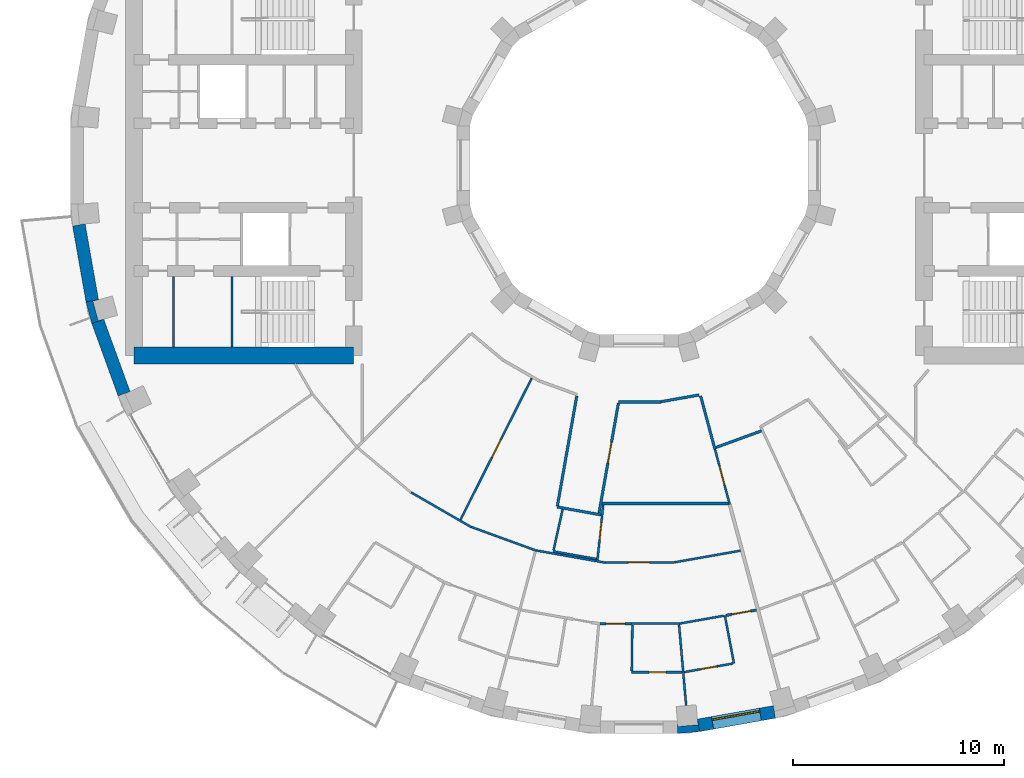
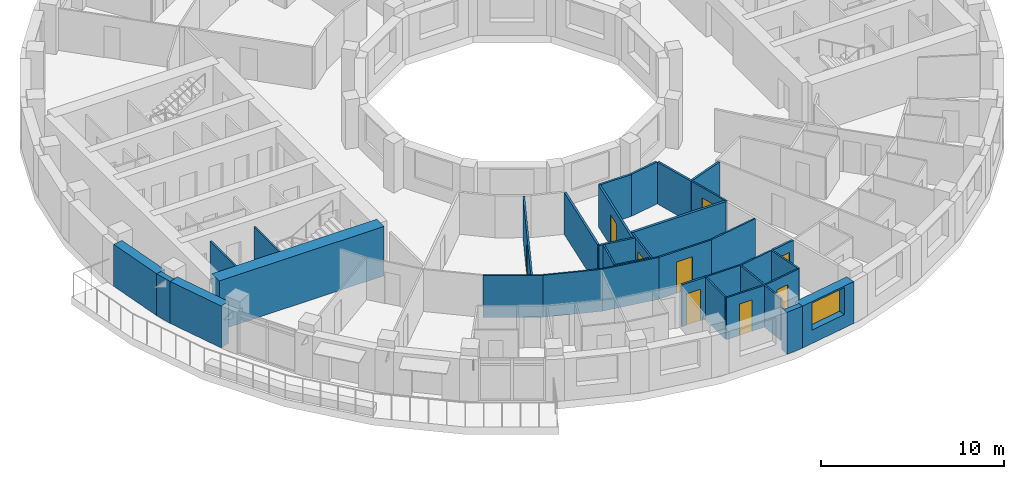
# One storey, part 5 of 16: 35 walls, 9 doors, 1 window, 10 openings.
"""IFC4 building model written with IfcOpenShell, lengths in metres."""

from ifc_helpers import new_model, si_unit, direction, frame, frame_2d, origin, place, context, subcontext, project, spatial, polyline, rectangle, outline, extrude, material, layer, layer_set, type_object, element, fill, save


model = new_model("IFC4")

# Units and contexts
model_context = context("Model", 3, precision=1e-05, world=origin(), true_north=direction((0.0, 1.0)))
body_context = subcontext(model_context, "Body", "Model", "MODEL_VIEW")
ifc_project = project(units=[si_unit("LENGTHUNIT", "METRE"), si_unit("AREAUNIT", "SQUARE_METRE"), si_unit("VOLUMEUNIT", "CUBIC_METRE"), si_unit("PLANEANGLEUNIT", "RADIAN"), si_unit("MASSUNIT", "GRAM", prefix="KILO")], contexts=[model_context])

# Site, building, storey
site_placement = place(None, origin())
site = spatial("IfcSite", under=ifc_project, at=site_placement, CompositionType="ELEMENT")
building_placement = place(site_placement, origin())
building = spatial("IfcBuilding", under=site, at=building_placement, Name="Saqina Gate Tower", CompositionType="ELEMENT")
storey_placement = place(building_placement, frame((0.0, 0.0, 121.60009765625)))
storey = spatial("IfcBuildingStorey", under=building, at=storey_placement, Name="L34", CompositionType="ELEMENT", Elevation=121.60009765625)

# Walls
ifc_material_1 = material(Name="Brick masonry (buff)", Category="masonry")
wall_type_1 = type_object("IfcWallType", Name="BRICK PIER COPING BUFF", PredefinedType="SOLIDWALL", material=ifc_material_1)
wall_1_placement = place(storey_placement, origin())
element("IfcWall", 1, at=wall_1_placement, inside=storey, type_object=wall_type_1, Name="Pier cap L34 column 20", PredefinedType="SOLIDWALL", context=body_context, shape_type="SweptSolid", body=[
    extrude(outline(polyline([(-26.171875, -6.466796875), (-25.89892578125, -7.485595703125), (-25.335205078125, -7.2802734375), (-25.5947265625, -7.349853515625), (-25.8408203125, -6.43212890625), (-25.5810546875, -6.36279296875), (-26.171875, -6.466796875)])), origin(), (0.0, 0.0, 1.0), 2.7998046875),
])
wall_2_placement = place(storey_placement, origin())
element("IfcWall", 2, at=wall_2_placement, inside=storey, type_object=wall_type_1, Name="Pier cap L34 column 28", PredefinedType="SOLIDWALL", context=body_context, shape_type="SweptSolid", body=[
    extrude(outline(polyline([(2.87451171875, -26.805419921875), (2.770263671875, -26.214599609375), (2.793701171875, -26.482421875), (1.847412109375, -26.565185546875), (1.823974609375, -26.29736328125), (1.823974609375, -26.897216796875), (2.87451171875, -26.805419921875)])), origin(), (0.0, 0.0, 1.0), 2.7998046875),
])
ifc_material_2 = material(Name="Gypsum board on steel studs", Category="steel")
ifc_layer_1 = layer(ifc_material_2, 0.10009765625)
ifc_layer_set_1 = layer_set([ifc_layer_1], Name="CORE PARTITION")
wall_type_2 = type_object("IfcWallType", Name="CORE PARTITION", PredefinedType="PARTITIONING", material=ifc_layer_set_1)
wall_3_placement = place(storey_placement, frame((-22.037109375, -8.60009765625, 0.0), z_axis=(0.0, 0.0, 1.0), x_axis=(0.0, 1.0, 0.0)))
element("IfcWall", 3, at=wall_3_placement, inside=storey, type_object=wall_type_2, Name="L34-CP-W16", PredefinedType="PARTITIONING", context=body_context, shape_type="SweptSolid", body=[
    extrude(rectangle(XDim=3.35009765625, YDim=0.10009765625, at=frame_2d((1.675048828125, 0.0))), origin(), (0.0, 0.0, 1.0), 2.7998046875),
])

# Wall, opening, window
ifc_material_3 = material(Name="Brick masonry (buff)", Category="masonry")
ifc_layer_2 = layer(ifc_material_3, 0.60009765625)
ifc_layer_set_2 = layer_set([ifc_layer_2], Name="FW-BRICK-BUFF")
wall_type_3 = type_object("IfcWallType", Name="FW-BRICK-BUFF", PredefinedType="SOLIDWALL", material=ifc_layer_set_2)
wall_4_placement = place(storey_placement, frame((2.822265625, -26.510009765625, 0.0), z_axis=(0.0, 0.0, 1.0), x_axis=(0.984803764455, 0.173670796382, 0.0)))
wall_4 = element("IfcWall", 4, at=wall_4_placement, inside=storey, type_object=wall_type_3, Name="Facade wall L34 facet 28", PredefinedType="SOLIDWALL", context=body_context, shape_type="SweptSolid", body=[
    extrude(rectangle(XDim=3.64794921875, YDim=0.60009765625, at=frame_2d((1.823974609375, 0.0))), origin(), (0.0, 0.0, 1.0), 2.7998046875),
])
opening_1_placement = place(wall_4_placement, frame((0.673828125, 0.0, 0.89990234375)))
opening_1 = element("IfcOpeningElement", 5, at=opening_1_placement, cuts=wall_4, Name="Opening G10-W17", PredefinedType="OPENING", context=body_context, shape_type="SweptSolid", body=[
    extrude(rectangle(XDim=2.300048828125, YDim=1.800048828125, at=frame_2d((1.14990234375, 0.89990234375))), frame((0.0, 0.31201171875, 0.0), z_axis=(0.0, -1.0, 0.0), x_axis=(1.0, 0.0, 0.0)), (0.0, 0.0, 1.0), 0.6240234375),
])
ifc_material_4 = material(Name="Aluminium glazing", Category="aluminium")
window_type = type_object("IfcWindowType", Name="WN-B", PartitioningType="SINGLE_PANEL", PredefinedType="WINDOW", material=ifc_material_4)
window_placement = place(opening_1_placement, origin())
window = element("IfcWindow", 6, at=window_placement, inside=storey, type_object=window_type, Name="Window L34 facet 28", OverallHeight=1.800048828125, OverallWidth=2.300048828125, PartitioningType="SINGLE_PANEL", PredefinedType="WINDOW", context=body_context, shape_type="SweptSolid", body=[
    extrude(rectangle(XDim=2.300048828125, YDim=1.800048828125, at=frame_2d((1.14990234375, 0.89990234375))), frame((0.0, 0.179931640625, 0.0), z_axis=(0.0, -1.0, 0.0), x_axis=(1.0, 0.0, 0.0)), (0.0, 0.0, 1.0), 0.06005859375),
])
fill(opening_1, window)

# Walls
ifc_material_5 = material(Name="Glazed ceramic tile", Category="ceramic")
ifc_layer_3 = layer(ifc_material_5, 0.60009765625)
ifc_layer_set_3 = layer_set([ifc_layer_3], Name="FW-TILE")
wall_type_4 = type_object("IfcWallType", Name="FW-TILE", PredefinedType="SOLIDWALL", material=ifc_layer_set_3)
wall_5_placement = place(storey_placement, frame((-26.510009765625, -2.822265625, 0.0), z_axis=(0.0, 0.0, 1.0), x_axis=(0.173670796382, -0.984803764455, 0.0)))
element("IfcWall", 7, at=wall_5_placement, inside=storey, type_object=wall_type_4, Name="Facade wall L34 facet 19", PredefinedType="SOLIDWALL", context=body_context, shape_type="SweptSolid", body=[
    extrude(rectangle(XDim=3.64794921875, YDim=0.60009765625, at=frame_2d((1.823974609375, 0.0))), origin(), (0.0, 0.0, 1.0), 2.7998046875),
])
ifc_material_6 = material(Name="Glazed ceramic tile (dark blue)", Category="ceramic")
ifc_layer_4 = layer(ifc_material_6, 0.60009765625)
ifc_layer_set_4 = layer_set([ifc_layer_4], Name="FW-TILE-CB")
wall_type_5 = type_object("IfcWallType", Name="FW-TILE-CB", PredefinedType="SOLIDWALL", material=ifc_layer_set_4)
wall_6_placement = place(storey_placement, frame((-25.616943359375, -7.3828125, 0.0), z_axis=(0.0, 0.0, 1.0), x_axis=(0.341990236633, -0.939703505393, 0.0)))
element("IfcWall", 8, at=wall_6_placement, inside=storey, type_object=wall_type_5, Name="Facade wall L34 facet 20", PredefinedType="SOLIDWALL", context=body_context, shape_type="SweptSolid", body=[
    extrude(rectangle(XDim=3.64794921875, YDim=0.60009765625, at=frame_2d((1.823974609375, 0.0))), origin(), (0.0, 0.0, 1.0), 2.7998046875),
])
ifc_material_7 = material(Name="Gypsum board on steel studs, 100 mm", Category="steel")
ifc_layer_5 = layer(ifc_material_7, 0.10009765625)
ifc_layer_set_5 = layer_set([ifc_layer_5], Name="PARTITION 100")
wall_type_6 = type_object("IfcWallType", Name="PARTITION 100", PredefinedType="PARTITIONING", material=ifc_layer_set_5)
wall_7_placement = place(storey_placement, frame((1.9013671875, -21.746826171875, 0.0), z_axis=(0.0, 0.0, 1.0), x_axis=(0.087464650473, -0.996167623906, 0.0)))
element("IfcWall", 9, at=wall_7_placement, inside=storey, type_object=wall_type_6, Name="PARTITION PW3-02", PredefinedType="PARTITIONING", context=body_context, shape_type="SweptSolid", body=[
    extrude(rectangle(XDim=3.835205078125, YDim=0.10009765625, at=frame_2d((1.91748046875, 0.0))), origin(), (0.0, 0.0, 1.0), 2.7998046875),
])
wall_8_placement = place(storey_placement, frame((4.070068359375, -21.31396484375, 0.0), z_axis=(0.0, 0.0, 1.0), x_axis=(0.187292523019, -0.982304184467, 0.0)))
element("IfcWall", 10, at=wall_8_placement, inside=storey, type_object=wall_type_6, Name="PARTITION PW3-05", PredefinedType="PARTITIONING", context=body_context, shape_type="SweptSolid", body=[
    extrude(rectangle(XDim=2.30078125, YDim=0.10009765625, at=frame_2d((1.150390625, 0.0))), origin(), (0.0, 0.0, 1.0), 2.7998046875),
])

# Wall, opening, door
wall_9_placement = place(storey_placement, frame((3.601318359375, -13.4404296875, 0.0), z_axis=(0.0, 0.0, 1.0), x_axis=(0.258787272881, -0.96593433907, 0.0)))
wall_9 = element("IfcWall", 11, at=wall_9_placement, inside=storey, type_object=wall_type_6, Name="PARTITION PW3-08", PredefinedType="PARTITIONING", context=body_context, shape_type="SweptSolid", body=[
    extrude(rectangle(XDim=2.701904296875, YDim=0.10009765625, at=frame_2d((1.35107421875, 0.0))), origin(), (0.0, 0.0, 1.0), 2.7998046875),
])
opening_2_placement = place(wall_9_placement, frame((0.84375, 0.0, 0.0)))
opening_2 = element("IfcOpeningElement", 12, at=opening_2_placement, cuts=wall_9, Name="Opening G10-D47", PredefinedType="OPENING", context=body_context, shape_type="SweptSolid", body=[
    extrude(rectangle(XDim=0.89990234375, YDim=2.10009765625, at=frame_2d((0.449951171875, 1.050048828125))), frame((0.0, 0.06201171875, 0.0), z_axis=(0.0, -1.0, 0.0), x_axis=(1.0, 0.0, 0.0)), (0.0, 0.0, 1.0), 0.1240234375),
])
ifc_material_8 = material(Name="Timber door leaf, 900 mm", Category="wood")
door_type_1 = type_object("IfcDoorType", Name="DOOR 900 TIMBER", OperationType="SINGLE_SWING_LEFT", PredefinedType="DOOR", material=ifc_material_8)
door_1_placement = place(opening_2_placement, origin())
door_1 = element("IfcDoor", 13, at=door_1_placement, inside=storey, type_object=door_type_1, Name="DOOR G10-D47", OperationType="SINGLE_SWING_LEFT", OverallHeight=2.10009765625, OverallWidth=0.89990234375, PredefinedType="DOOR", context=body_context, shape_type="SweptSolid", body=[
    extrude(rectangle(XDim=0.89990234375, YDim=2.10009765625, at=frame_2d((0.449951171875, 1.050048828125))), frame((0.0, 0.02490234375, 0.0), z_axis=(0.0, -1.0, 0.0), x_axis=(1.0, 0.0, 0.0)), (0.0, 0.0, 1.0), 0.050048828125),
])
fill(opening_2, door_1)

# Walls
wall_10_placement = place(storey_placement, frame((-10.78076171875, -15.48291015625, 0.0), z_axis=(0.0, 0.0, 1.0), x_axis=(0.865987888257, -0.500064973171, 0.0)))
element("IfcWall", 14, at=wall_10_placement, inside=storey, type_object=wall_type_6, Name="PARTITION PW3-34", PredefinedType="PARTITIONING", context=body_context, shape_type="SweptSolid", body=[
    extrude(rectangle(XDim=3.29052734375, YDim=0.10009765625, at=frame_2d((1.645263671875, 0.0))), origin(), (0.0, 0.0, 1.0), 2.7998046875),
])
wall_11_placement = place(storey_placement, frame((-7.927978515625, -17.1201171875, 0.0), z_axis=(0.0, 0.0, 1.0), x_axis=(0.93970022925, -0.34199923852, 0.0)))
element("IfcWall", 15, at=wall_11_placement, inside=storey, type_object=wall_type_6, Name="PARTITION PW3-42", PredefinedType="PARTITIONING", context=body_context, shape_type="SweptSolid", body=[
    extrude(rectangle(XDim=3.290283203125, YDim=0.10009765625, at=frame_2d((1.64501953125, 0.0))), origin(), (0.0, 0.0, 1.0), 2.7998046875),
])
wall_12_placement = place(storey_placement, frame((-4.834716796875, -18.236572265625, 0.0), z_axis=(0.0, 0.0, 1.0), x_axis=(0.984805963937, -0.173658323709, 0.0)))
element("IfcWall", 16, at=wall_12_placement, inside=storey, type_object=wall_type_6, Name="PARTITION PW3-47", PredefinedType="PARTITIONING", context=body_context, shape_type="SweptSolid", body=[
    extrude(rectangle(XDim=3.289794921875, YDim=0.10009765625, at=frame_2d((1.64501953125, 0.0))), origin(), (0.0, 0.0, 1.0), 2.7998046875),
])
wall_13_placement = place(storey_placement, frame((-4.051025390625, -18.27392578125, 0.0), z_axis=(0.0, 0.0, 1.0), x_axis=(0.984814351303, -0.17361075274, 0.0)))
element("IfcWall", 17, at=wall_13_placement, inside=storey, type_object=wall_type_6, Name="PARTITION PW3-48", PredefinedType="PARTITIONING", context=body_context, shape_type="SweptSolid", body=[
    extrude(rectangle(XDim=2.07421875, YDim=0.10009765625, at=frame_2d((1.037109375, 0.0))), origin(), (0.0, 0.0, 1.0), 2.7998046875),
])

# Wall, opening, door
wall_14_placement = place(storey_placement, frame((-0.339111328125, -23.9970703125, 0.0), z_axis=(0.0, 0.0, 1.0), x_axis=(1.0, 0.0, 0.0)))
wall_14 = element("IfcWall", 18, at=wall_14_placement, inside=storey, type_object=wall_type_6, Name="PARTITION PW3-51", PredefinedType="PARTITIONING", context=body_context, shape_type="SweptSolid", body=[
    extrude(rectangle(XDim=2.38818359375, YDim=0.10009765625, at=frame_2d((1.194091796875, 0.0))), origin(), (0.0, 0.0, 1.0), 2.7998046875),
])
opening_3_placement = place(wall_14_placement, frame((0.819091796875, 0.0, 0.0)))
opening_3 = element("IfcOpeningElement", 19, at=opening_3_placement, cuts=wall_14, Name="Opening G10-D44", PredefinedType="OPENING", context=body_context, shape_type="SweptSolid", body=[
    extrude(rectangle(XDim=0.800048828125, YDim=2.10009765625, at=frame_2d((0.39990234375, 1.050048828125))), frame((0.0, 0.06201171875, 0.0), z_axis=(0.0, -1.0, 0.0), x_axis=(1.0, 0.0, 0.0)), (0.0, 0.0, 1.0), 0.1240234375),
])
ifc_material_9 = material(Name="Timber door leaf, 800 mm", Category="wood")
door_type_2 = type_object("IfcDoorType", Name="DOOR 800 TIMBER", OperationType="SINGLE_SWING_LEFT", PredefinedType="DOOR", material=ifc_material_9)
door_2_placement = place(opening_3_placement, frame((0.800048828125, 0.0, 0.0), z_axis=(0.0, 0.0, 1.0), x_axis=(-1.0, 0.0, 0.0)))
door_2 = element("IfcDoor", 20, at=door_2_placement, inside=storey, type_object=door_type_2, Name="DOOR G10-D44", OperationType="SINGLE_SWING_LEFT", OverallHeight=2.10009765625, OverallWidth=0.800048828125, PredefinedType="DOOR", context=body_context, shape_type="SweptSolid", body=[
    extrude(rectangle(XDim=0.800048828125, YDim=2.10009765625, at=frame_2d((0.39990234375, 1.050048828125))), frame((0.0, 0.02490234375, 0.0), z_axis=(0.0, -1.0, 0.0), x_axis=(1.0, 0.0, 0.0)), (0.0, 0.0, 1.0), 0.050048828125),
])
fill(opening_3, door_2)

# Wall
wall_15_placement = place(storey_placement, frame((-0.35693359375, -21.697021484375, 0.0), z_axis=(0.0, 0.0, 1.0), x_axis=(1.0, 0.0, 0.0)))
element("IfcWall", 21, at=wall_15_placement, inside=storey, type_object=wall_type_6, Name="PARTITION PW3-52", PredefinedType="PARTITIONING", context=body_context, shape_type="SweptSolid", body=[
    extrude(rectangle(XDim=2.3056640625, YDim=0.10009765625, at=frame_2d((1.15283203125, 0.0))), origin(), (0.0, 0.0, 1.0), 2.7998046875),
])

# Wall, opening, door
wall_16_placement = place(storey_placement, frame((-1.594970703125, -18.799072265625, 0.0), z_axis=(0.0, 0.0, 1.0), x_axis=(1.0, 0.0, 0.0)))
wall_16 = element("IfcWall", 22, at=wall_16_placement, inside=storey, type_object=wall_type_6, Name="PARTITION PW3-53", PredefinedType="PARTITIONING", context=body_context, shape_type="SweptSolid", body=[
    extrude(rectangle(XDim=3.290771484375, YDim=0.10009765625, at=frame_2d((1.6455078125, 0.0))), origin(), (0.0, 0.0, 1.0), 2.7998046875),
])
opening_4_placement = place(wall_16_placement, frame((1.094970703125, 0.0, 0.0)))
opening_4 = element("IfcOpeningElement", 23, at=opening_4_placement, cuts=wall_16, Name="Opening G10-D43", PredefinedType="OPENING", context=body_context, shape_type="SweptSolid", body=[
    extrude(rectangle(XDim=1.0, YDim=2.10009765625, at=frame_2d((0.5, 1.050048828125))), frame((0.0, 0.06201171875, 0.0), z_axis=(0.0, -1.0, 0.0), x_axis=(1.0, 0.0, 0.0)), (0.0, 0.0, 1.0), 0.1240234375),
])
ifc_material_10 = material(Name="Timber door leaf, 1000 mm", Category="wood")
door_type_3 = type_object("IfcDoorType", Name="DOOR 1000 TIMBER", OperationType="SINGLE_SWING_LEFT", PredefinedType="DOOR", material=ifc_material_10)
door_3_placement = place(opening_4_placement, origin())
door_3 = element("IfcDoor", 24, at=door_3_placement, inside=storey, type_object=door_type_3, Name="DOOR G10-D43", OperationType="SINGLE_SWING_LEFT", OverallHeight=2.10009765625, OverallWidth=1.0, PredefinedType="DOOR", context=body_context, shape_type="SweptSolid", body=[
    extrude(rectangle(XDim=1.0, YDim=2.10009765625, at=frame_2d((0.5, 1.050048828125))), frame((0.0, 0.02490234375, 0.0), z_axis=(0.0, -1.0, 0.0), x_axis=(1.0, 0.0, 0.0)), (0.0, 0.0, 1.0), 0.050048828125),
])
fill(opening_4, door_3)

wall_17_placement = place(storey_placement, frame((2.148193359375, -23.98828125, 0.0), z_axis=(0.0, 0.0, 1.0), x_axis=(0.984854932485, 0.173380396699, 0.0)))
wall_17 = element("IfcWall", 25, at=wall_17_placement, inside=storey, type_object=wall_type_6, Name="PARTITION PW3-57", PredefinedType="PARTITIONING", context=body_context, shape_type="SweptSolid", body=[
    extrude(rectangle(XDim=2.3388671875, YDim=0.10009765625, at=frame_2d((1.16943359375, 0.0))), origin(), (0.0, 0.0, 1.0), 2.7998046875),
])
opening_5_placement = place(wall_17_placement, frame((0.76953125, 0.0, 0.0)))
opening_5 = element("IfcOpeningElement", 26, at=opening_5_placement, cuts=wall_17, Name="Opening G10-D45", PredefinedType="OPENING", context=body_context, shape_type="SweptSolid", body=[
    extrude(rectangle(XDim=0.800048828125, YDim=2.10009765625, at=frame_2d((0.39990234375, 1.050048828125))), frame((0.0, 0.06201171875, 0.0), z_axis=(0.0, -1.0, 0.0), x_axis=(1.0, 0.0, 0.0)), (0.0, 0.0, 1.0), 0.1240234375),
])
door_4_placement = place(opening_5_placement, frame((0.800048828125, 0.0, 0.0), z_axis=(0.0, 0.0, 1.0), x_axis=(-1.0, 0.0, 0.0)))
door_4 = element("IfcDoor", 27, at=door_4_placement, inside=storey, type_object=door_type_2, Name="DOOR G10-D45", OperationType="SINGLE_SWING_LEFT", OverallHeight=2.10009765625, OverallWidth=0.800048828125, PredefinedType="DOOR", context=body_context, shape_type="SweptSolid", body=[
    extrude(rectangle(XDim=0.800048828125, YDim=2.10009765625, at=frame_2d((0.39990234375, 1.050048828125))), frame((0.0, 0.02490234375, 0.0), z_axis=(0.0, -1.0, 0.0), x_axis=(1.0, 0.0, 0.0)), (0.0, 0.0, 1.0), 0.050048828125),
])
fill(opening_5, door_4)

# Walls
wall_18_placement = place(storey_placement, frame((1.947265625, -21.688232421875, 0.0), z_axis=(0.0, 0.0, 1.0), x_axis=(0.984818559242, 0.173586881336, 0.0)))
element("IfcWall", 28, at=wall_18_placement, inside=storey, type_object=wall_type_6, Name="PARTITION PW3-58", PredefinedType="PARTITIONING", context=body_context, shape_type="SweptSolid", body=[
    extrude(rectangle(XDim=2.10546875, YDim=0.10009765625, at=frame_2d((1.052734375, 0.0))), origin(), (0.0, 0.0, 1.0), 2.7998046875),
])
wall_19_placement = place(storey_placement, frame((1.6943359375, -18.790283203125, 0.0), z_axis=(0.0, 0.0, 1.0), x_axis=(0.984811512808, 0.173626853457, 0.0)))
element("IfcWall", 29, at=wall_19_placement, inside=storey, type_object=wall_type_6, Name="PARTITION PW3-59", PredefinedType="PARTITIONING", context=body_context, shape_type="SweptSolid", body=[
    extrude(rectangle(XDim=3.163818359375, YDim=0.10009765625, at=frame_2d((1.58203125, 0.0))), origin(), (0.0, 0.0, 1.0), 2.7998046875),
])

# Wall, opening, door
wall_20_placement = place(storey_placement, frame((-8.444580078125, -16.774169921875, 0.0), z_axis=(0.0, 0.0, 1.0), x_axis=(0.449712057194, 0.893173592094, 0.0)))
wall_20 = element("IfcWall", 30, at=wall_20_placement, inside=storey, type_object=wall_type_6, Name="PARTITION PW3-96", PredefinedType="PARTITIONING", context=body_context, shape_type="SweptSolid", body=[
    extrude(rectangle(XDim=7.499267578125, YDim=0.10009765625, at=frame_2d((3.74951171875, 0.0))), origin(), (0.0, 0.0, 1.0), 2.7998046875),
])
opening_6_placement = place(wall_20_placement, frame((3.30712890625, 0.0, 0.0)))
opening_6 = element("IfcOpeningElement", 31, at=opening_6_placement, cuts=wall_20, Name="Opening G10-D35", PredefinedType="OPENING", context=body_context, shape_type="SweptSolid", body=[
    extrude(rectangle(XDim=0.89990234375, YDim=2.10009765625, at=frame_2d((0.449951171875, 1.050048828125))), frame((0.0, 0.06201171875, 0.0), z_axis=(0.0, -1.0, 0.0), x_axis=(1.0, 0.0, 0.0)), (0.0, 0.0, 1.0), 0.1240234375),
])
door_5_placement = place(opening_6_placement, frame((0.89990234375, 0.0, 0.0), z_axis=(0.0, 0.0, 1.0), x_axis=(-1.0, 0.0, 0.0)))
door_5 = element("IfcDoor", 32, at=door_5_placement, inside=storey, type_object=door_type_1, Name="DOOR G10-D35", OperationType="SINGLE_SWING_LEFT", OverallHeight=2.10009765625, OverallWidth=0.89990234375, PredefinedType="DOOR", context=body_context, shape_type="SweptSolid", body=[
    extrude(rectangle(XDim=0.89990234375, YDim=2.10009765625, at=frame_2d((0.449951171875, 1.050048828125))), frame((0.0, 0.02490234375, 0.0), z_axis=(0.0, -1.0, 0.0), x_axis=(1.0, 0.0, 0.0)), (0.0, 0.0, 1.0), 0.050048828125),
])
fill(opening_6, door_5)

# Wall
wall_21_placement = place(storey_placement, frame((-4.0400390625, -18.22412109375, 0.0), z_axis=(0.0, 0.0, 1.0), x_axis=(0.216475396049, 0.976288073729, 0.0)))
element("IfcWall", 33, at=wall_21_placement, inside=storey, type_object=wall_type_6, Name="PARTITION PW3-103", PredefinedType="PARTITIONING", context=body_context, shape_type="SweptSolid", body=[
    extrude(rectangle(XDim=1.98828125, YDim=0.10009765625, at=frame_2d((0.994140625, 0.0))), origin(), (0.0, 0.0, 1.0), 2.7998046875),
])

# Wall, opening, door
wall_22_placement = place(storey_placement, frame((-1.963134765625, -18.692138671875, 0.0), z_axis=(0.0, 0.0, 1.0), x_axis=(0.10462196357, 0.994512063647, 0.0)))
wall_22 = element("IfcWall", 34, at=wall_22_placement, inside=storey, type_object=wall_type_6, Name="PARTITION PW3-106", PredefinedType="PARTITIONING", context=body_context, shape_type="SweptSolid", body=[
    extrude(rectangle(XDim=2.6298828125, YDim=0.10009765625, at=frame_2d((1.31494140625, 0.0))), origin(), (0.0, 0.0, 1.0), 2.7998046875),
])
opening_7_placement = place(wall_22_placement, frame((0.978759765625, 0.0, 0.0)))
opening_7 = element("IfcOpeningElement", 35, at=opening_7_placement, cuts=wall_22, Name="Opening G10-D40", PredefinedType="OPENING", context=body_context, shape_type="SweptSolid", body=[
    extrude(rectangle(XDim=0.800048828125, YDim=2.10009765625, at=frame_2d((0.39990234375, 1.050048828125))), frame((0.0, 0.06201171875, 0.0), z_axis=(0.0, -1.0, 0.0), x_axis=(1.0, 0.0, 0.0)), (0.0, 0.0, 1.0), 0.1240234375),
])
door_6_placement = place(opening_7_placement, frame((0.800048828125, 0.0, 0.0), z_axis=(0.0, 0.0, 1.0), x_axis=(-1.0, 0.0, 0.0)))
door_6 = element("IfcDoor", 36, at=door_6_placement, inside=storey, type_object=door_type_2, Name="DOOR G10-D40", OperationType="SINGLE_SWING_LEFT", OverallHeight=2.10009765625, OverallWidth=0.800048828125, PredefinedType="DOOR", context=body_context, shape_type="SweptSolid", body=[
    extrude(rectangle(XDim=0.800048828125, YDim=2.10009765625, at=frame_2d((0.39990234375, 1.050048828125))), frame((0.0, 0.02490234375, 0.0), z_axis=(0.0, -1.0, 0.0), x_axis=(1.0, 0.0, 0.0)), (0.0, 0.0, 1.0), 0.050048828125),
])
fill(opening_7, door_6)

# Walls
wall_23_placement = place(storey_placement, frame((-0.33837890625, -23.947021484375, 0.0), z_axis=(0.0, 0.0, 1.0), x_axis=(0.013949535442, 0.999902700497, 0.0)))
element("IfcWall", 37, at=wall_23_placement, inside=storey, type_object=wall_type_6, Name="PARTITION PW3-108", PredefinedType="PARTITIONING", context=body_context, shape_type="SweptSolid", body=[
    extrude(rectangle(XDim=2.187744140625, YDim=0.10009765625, at=frame_2d((1.09375, 0.0))), origin(), (0.0, 0.0, 1.0), 2.7998046875),
])
ifc_material_11 = material(Name="Gypsum board on steel studs, 125 mm, fire rated", Category="steel")
ifc_layer_6 = layer(ifc_material_11, 0.125)
ifc_layer_set_6 = layer_set([ifc_layer_6], Name="PARTITION EI 30 125")
wall_type_7 = type_object("IfcWallType", Name="PARTITION EI 30 125", PredefinedType="PARTITIONING", material=ifc_layer_set_6)
wall_24_placement = place(storey_placement, frame((2.923095703125, -10.9189453125, 0.0), z_axis=(0.0, 0.0, 1.0), x_axis=(0.259285993545, -0.965800586846, 0.0)))
element("IfcWall", 38, at=wall_24_placement, inside=storey, type_object=wall_type_7, Name="PARTITION PW1-03", PredefinedType="PARTITIONING", context=body_context, shape_type="SweptSolid", body=[
    extrude(rectangle(XDim=2.611083984375, YDim=0.125, at=frame_2d((1.3056640625, 0.0))), origin(), (0.0, 0.0, 1.0), 2.7998046875),
])
wall_25_placement = place(storey_placement, frame((-3.866943359375, -16.173583984375, 0.0), z_axis=(0.0, 0.0, 1.0), x_axis=(0.984325266117, -0.176362610789, 0.0)))
element("IfcWall", 39, at=wall_25_placement, inside=storey, type_object=wall_type_7, Name="PARTITION PW1-23", PredefinedType="PARTITIONING", context=body_context, shape_type="SweptSolid", body=[
    extrude(rectangle(XDim=2.112548828125, YDim=0.125, at=frame_2d((1.05615234375, 0.0))), origin(), (0.0, 0.0, 1.0), 2.7998046875),
])

# Wall, opening, door
wall_26_placement = place(storey_placement, frame((-1.83544921875, -21.697021484375, 0.0), z_axis=(0.0, 0.0, 1.0), x_axis=(1.0, 0.0, 0.0)))
wall_26 = element("IfcWall", 40, at=wall_26_placement, inside=storey, type_object=wall_type_7, Name="PARTITION PW1-27", PredefinedType="PARTITIONING", context=body_context, shape_type="SweptSolid", body=[
    extrude(rectangle(XDim=1.478515625, YDim=0.125, at=frame_2d((0.7392578125, 0.0))), origin(), (0.0, 0.0, 1.0), 2.7998046875),
])
opening_8_placement = place(wall_26_placement, frame((0.282958984375, 0.0, 0.0)))
opening_8 = element("IfcOpeningElement", 41, at=opening_8_placement, cuts=wall_26, Name="Opening G10-D42", PredefinedType="OPENING", context=body_context, shape_type="SweptSolid", body=[
    extrude(rectangle(XDim=0.89990234375, YDim=2.10009765625, at=frame_2d((0.449951171875, 1.050048828125))), frame((0.0, 0.074462890625, 0.0), z_axis=(0.0, -1.0, 0.0), x_axis=(1.0, 0.0, 0.0)), (0.0, 0.0, 1.0), 0.14892578125),
])
ifc_material_12 = material(Name="Fire door leaf EI 30, 900 mm")
door_type_4 = type_object("IfcDoorType", Name="DOOR 900 EI 30", OperationType="SINGLE_SWING_LEFT", PredefinedType="DOOR", material=ifc_material_12)
door_7_placement = place(opening_8_placement, origin())
door_7 = element("IfcDoor", 42, at=door_7_placement, inside=storey, type_object=door_type_4, Name="DOOR G10-D42", OperationType="SINGLE_SWING_LEFT", OverallHeight=2.10009765625, OverallWidth=0.89990234375, PredefinedType="DOOR", context=body_context, shape_type="SweptSolid", body=[
    extrude(rectangle(XDim=0.89990234375, YDim=2.10009765625, at=frame_2d((0.449951171875, 1.050048828125))), frame((0.0, 0.02490234375, 0.0), z_axis=(0.0, -1.0, 0.0), x_axis=(1.0, 0.0, 0.0)), (0.0, 0.0, 1.0), 0.050048828125),
])
fill(opening_8, door_7)

# Wall
wall_27_placement = place(storey_placement, frame((-0.958984375, -11.199951171875, 0.0), z_axis=(0.0, 0.0, 1.0), x_axis=(1.0, 0.0, 0.0)))
element("IfcWall", 43, at=wall_27_placement, inside=storey, type_object=wall_type_7, Name="PARTITION PW1-28", PredefinedType="PARTITIONING", context=body_context, shape_type="SweptSolid", body=[
    extrude(rectangle(XDim=2.00244140625, YDim=0.125, at=frame_2d((1.001220703125, 0.0))), origin(), (0.0, 0.0, 1.0), 2.7998046875),
])

# Wall, opening, door
wall_28_placement = place(storey_placement, frame((4.119140625, -21.305419921875, 0.0), z_axis=(0.0, 0.0, 1.0), x_axis=(0.984835475574, 0.17349088175, 0.0)))
wall_28 = element("IfcWall", 44, at=wall_28_placement, inside=storey, type_object=wall_type_7, Name="PARTITION PW1-31", PredefinedType="PARTITIONING", context=body_context, shape_type="SweptSolid", body=[
    extrude(rectangle(XDim=1.46630859375, YDim=0.125, at=frame_2d((0.733154296875, 0.0))), origin(), (0.0, 0.0, 1.0), 2.7998046875),
])
opening_9_placement = place(wall_28_placement, frame((0.295166015625, 0.0, 0.0)))
opening_9 = element("IfcOpeningElement", 45, at=opening_9_placement, cuts=wall_28, Name="Opening G10-D46", PredefinedType="OPENING", context=body_context, shape_type="SweptSolid", body=[
    extrude(rectangle(XDim=0.89990234375, YDim=2.10009765625, at=frame_2d((0.449951171875, 1.050048828125))), frame((0.0, 0.074462890625, 0.0), z_axis=(0.0, -1.0, 0.0), x_axis=(1.0, 0.0, 0.0)), (0.0, 0.0, 1.0), 0.14892578125),
])
door_8_placement = place(opening_9_placement, origin())
door_8 = element("IfcDoor", 46, at=door_8_placement, inside=storey, type_object=door_type_4, Name="DOOR G10-D46", OperationType="SINGLE_SWING_RIGHT", OverallHeight=2.10009765625, OverallWidth=0.89990234375, PredefinedType="DOOR", context=body_context, shape_type="SweptSolid", body=[
    extrude(rectangle(XDim=0.89990234375, YDim=2.10009765625, at=frame_2d((0.449951171875, 1.050048828125))), frame((0.0, 0.02490234375, 0.0), z_axis=(0.0, -1.0, 0.0), x_axis=(1.0, 0.0, 0.0)), (0.0, 0.0, 1.0), 0.050048828125),
])
fill(opening_9, door_8)

# Walls
wall_29_placement = place(storey_placement, frame((1.04150390625, -11.189208984375, 0.0), z_axis=(0.0, 0.0, 1.0), x_axis=(0.984772836403, 0.173846083312, 0.0)))
element("IfcWall", 47, at=wall_29_placement, inside=storey, type_object=wall_type_7, Name="PARTITION PW1-32", PredefinedType="PARTITIONING", context=body_context, shape_type="SweptSolid", body=[
    extrude(rectangle(XDim=1.833984375, YDim=0.125, at=frame_2d((0.9169921875, 0.0))), origin(), (0.0, 0.0, 1.0), 2.7998046875),
])
wall_30_placement = place(storey_placement, frame((3.643798828125, -13.356689453125, 0.0), z_axis=(0.0, 0.0, 1.0), x_axis=(0.939554653217, 0.342398968484, 0.0)))
element("IfcWall", 48, at=wall_30_placement, inside=storey, type_object=wall_type_7, Name="PARTITION PW1-36", PredefinedType="PARTITIONING", context=body_context, shape_type="SweptSolid", body=[
    extrude(rectangle(XDim=2.301025390625, YDim=0.125, at=frame_2d((1.150390625, 0.0))), origin(), (0.0, 0.0, 1.0), 2.7998046875),
])

# Wall, opening, door
wall_31_placement = place(storey_placement, frame((-1.88720703125, -16.45947265625, 0.0), z_axis=(0.0, 0.0, 1.0), x_axis=(0.173774779386, 0.984785421322, 0.0)))
wall_31 = element("IfcWall", 49, at=wall_31_placement, inside=storey, type_object=wall_type_7, Name="PARTITION PW1-56", PredefinedType="PARTITIONING", context=body_context, shape_type="SweptSolid", body=[
    extrude(rectangle(XDim=5.2783203125, YDim=0.125, at=frame_2d((2.63916015625, 0.0))), origin(), (0.0, 0.0, 1.0), 2.7998046875),
])
opening_10_placement = place(wall_31_placement, frame((2.40380859375, 0.0, 0.0)))
opening_10 = element("IfcOpeningElement", 50, at=opening_10_placement, cuts=wall_31, Name="Opening G10-D41", PredefinedType="OPENING", context=body_context, shape_type="SweptSolid", body=[
    extrude(rectangle(XDim=1.0, YDim=2.10009765625, at=frame_2d((0.5, 1.050048828125))), frame((0.0, 0.074462890625, 0.0), z_axis=(0.0, -1.0, 0.0), x_axis=(1.0, 0.0, 0.0)), (0.0, 0.0, 1.0), 0.14892578125),
])
ifc_material_13 = material(Name="Fire door leaf EI 30, 1000 mm")
door_type_5 = type_object("IfcDoorType", Name="DOOR 1000 EI 30", OperationType="SINGLE_SWING_LEFT", PredefinedType="DOOR", material=ifc_material_13)
door_9_placement = place(opening_10_placement, frame((1.0, 0.0, 0.0), z_axis=(0.0, 0.0, 1.0), x_axis=(-1.0, 0.0, 0.0)))
door_9 = element("IfcDoor", 51, at=door_9_placement, inside=storey, type_object=door_type_5, Name="DOOR G10-D41", OperationType="SINGLE_SWING_LEFT", OverallHeight=2.10009765625, OverallWidth=1.0, PredefinedType="DOOR", context=body_context, shape_type="SweptSolid", body=[
    extrude(rectangle(XDim=1.0, YDim=2.10009765625, at=frame_2d((0.5, 1.050048828125))), frame((0.0, 0.02490234375, 0.0), z_axis=(0.0, -1.0, 0.0), x_axis=(1.0, 0.0, 0.0)), (0.0, 0.0, 1.0), 0.050048828125),
])
fill(opening_10, door_9)

# Walls
wall_32_placement = place(storey_placement, frame((-3.859130859375, -16.129150390625, 0.0), z_axis=(0.0, 0.0, 1.0), x_axis=(0.173619599217, 0.984812791736, 0.0)))
element("IfcWall", 52, at=wall_32_placement, inside=storey, type_object=wall_type_7, Name="PARTITION PW1-57", PredefinedType="PARTITIONING", context=body_context, shape_type="SweptSolid", body=[
    extrude(rectangle(XDim=5.294189453125, YDim=0.125, at=frame_2d((2.64697265625, 0.0))), origin(), (0.0, 0.0, 1.0), 2.7998046875),
])
ifc_material_14 = material(Name="Gypsum board on steel studs, 150 mm, fire rated", Category="steel")
ifc_layer_7 = layer(ifc_material_14, 0.14990234375)
ifc_layer_set_7 = layer_set([ifc_layer_7], Name="PARTITION EI 60 150")
wall_type_8 = type_object("IfcWallType", Name="PARTITION EI 60 150", PredefinedType="PARTITIONING", material=ifc_layer_set_7)
wall_33_placement = place(storey_placement, frame((-1.743408203125, -16.0, 0.0), z_axis=(0.0, 0.0, 1.0), x_axis=(1.0, 0.0, 0.0)))
element("IfcWall", 53, at=wall_33_placement, inside=storey, type_object=wall_type_8, Name="PARTITION PW2-02", PredefinedType="PARTITIONING", context=body_context, shape_type="SweptSolid", body=[
    extrude(rectangle(XDim=5.98046875, YDim=0.14990234375, at=frame_2d((2.990234375, 0.0))), origin(), (0.0, 0.0, 1.0), 2.7998046875),
])
ifc_material_15 = material(Name="Autoclaved aerated concrete block", Category="concrete")
ifc_layer_8 = layer(ifc_material_15, 0.10009765625)
ifc_layer_set_8 = layer_set([ifc_layer_8], Name="STAIR ENCLOSURE WALL")
wall_type_9 = type_object("IfcWallType", Name="STAIR ENCLOSURE WALL", PredefinedType="PARTITIONING", material=ifc_layer_set_8)
wall_34_placement = place(storey_placement, frame((-19.27001953125, -8.60009765625, 0.0), z_axis=(0.0, 0.0, 1.0), x_axis=(0.0, 1.0, 0.0)))
element("IfcWall", 54, at=wall_34_placement, inside=storey, type_object=wall_type_9, Name="L34-CP-W15", PredefinedType="PARTITIONING", context=body_context, shape_type="SweptSolid", body=[
    extrude(rectangle(XDim=3.35009765625, YDim=0.10009765625, at=frame_2d((1.675048828125, 0.0))), origin(), (0.0, 0.0, 1.0), 2.7998046875),
])
ifc_material_16 = material(Name="Concrete C70/85", Category="concrete")
ifc_layer_9 = layer(ifc_material_16, 0.800048828125)
ifc_layer_set_9 = layer_set([ifc_layer_9], Name="Concrete C70/85")
wall_type_10 = type_object("IfcWallType", Name="STR-CORE WALL-B-O", PredefinedType="SHEAR", material=ifc_layer_set_9)
wall_35_placement = place(storey_placement, frame((-13.5, -9.0, 0.0), z_axis=(0.0, 0.0, 1.0), x_axis=(-1.0, 0.0, 0.0)))
element("IfcWall", 55, at=wall_35_placement, inside=storey, type_object=wall_type_10, Name="CORE WALL L34 W-SE", PredefinedType="SHEAR", context=body_context, shape_type="SweptSolid", body=[
    extrude(rectangle(XDim=10.39990234375, YDim=0.800048828125, at=frame_2d((5.199951171875, 0.0))), origin(), (0.0, 0.0, 1.0), 3.2998046875),
])

save(model, "model.ifc")
